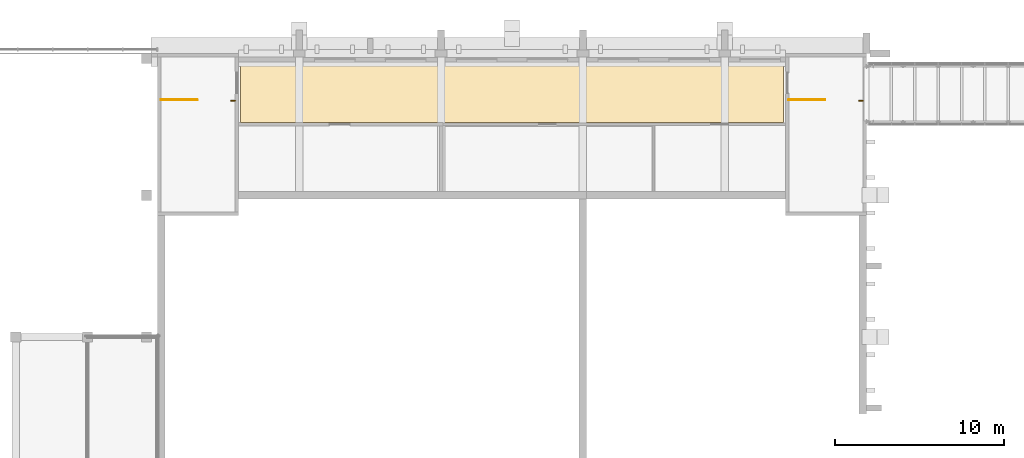
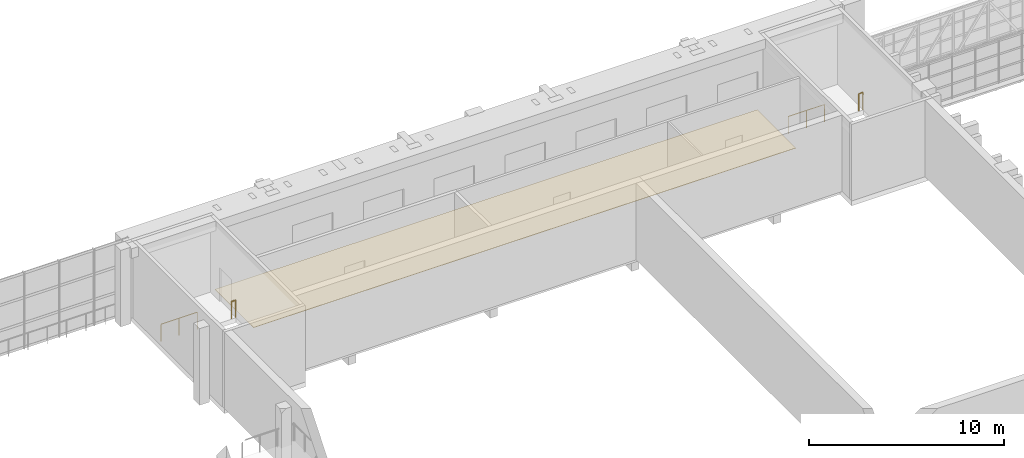
# One storey, part 81 of 86: 4 railings, 1 covering.
"""IFC4 building model written with IfcOpenShell, lengths in metres."""

from ifc_helpers import new_model, si_unit, direction, frame, origin, origin_2d, place, context, subcontext, project, spatial, polyline, circle, outline, extrude, material, layer, layer_set, type_object, element, save


model = new_model("IFC4")

# Units and contexts
model_context = context("Model", 3, precision=1e-05, world=origin(), true_north=direction((0.0, 1.0)))
body_context = subcontext(model_context, "Body", "Model", "MODEL_VIEW")
ifc_project = project(units=[si_unit("LENGTHUNIT", "METRE"), si_unit("AREAUNIT", "SQUARE_METRE"), si_unit("VOLUMEUNIT", "CUBIC_METRE"), si_unit("PLANEANGLEUNIT", "RADIAN"), si_unit("MASSUNIT", "GRAM", prefix="KILO")], contexts=[model_context])

# Site, building, storey
site_placement = place(None, origin())
site = spatial("IfcSite", under=ifc_project, at=site_placement, CompositionType="ELEMENT")
building_placement = place(site_placement, origin())
building = spatial("IfcBuilding", under=site, at=building_placement, Name="Kiln Court Media Centre", CompositionType="ELEMENT")
storey_placement = place(building_placement, frame((0.0, 0.0, 10.199951171875)))
storey = spatial("IfcBuildingStorey", under=building, at=storey_placement, Name="L02", CompositionType="ELEMENT", Elevation=10.199951171875)

# Covering
ifc_material_1 = material(Name="Terrazzo")
ifc_layer = layer(ifc_material_1, 0.02490234375)
ifc_layer_set = layer_set([ifc_layer], Name="Polished terrazzo floor finish 25")
covering_type = type_object("IfcCoveringType", Name="Polished terrazzo floor finish 25", PredefinedType="FLOORING", material=ifc_layer_set)
covering_placement = place(storey_placement, origin())
element("IfcCovering", 1, at=covering_placement, inside=storey, type_object=covering_type, Name="Rear Gallery floor finish", PredefinedType="FLOORING", context=body_context, shape_type="SweptSolid", body=[
    extrude(outline(polyline([(95.8798828125, 67.080078125), (63.719970703125, 67.080078125), (63.719970703125, 63.1201171875), (95.8798828125, 63.1201171875), (95.8798828125, 67.080078125)])), origin(), (0.0, 0.0, 1.0), 0.025146484375),
])

# Railings
ifc_material_2 = material(Name="Steel S275", Category="steel")
railing_type = type_object("IfcRailingType", Name="Steel S275 stair guard 1100", PredefinedType="GUARDRAIL", material=ifc_material_2)
railing_1_placement = place(storey_placement, frame((63.14990234375, 64.39990234375, 0.0)))
element("IfcRailing", 2, at=railing_1_placement, inside=storey, type_object=railing_type, Name="ST-11 landing edge guard", PredefinedType="GUARDRAIL", context=body_context, shape_type="SweptSolid", body=[
    extrude(circle(Radius=0.02392578125, at=origin_2d()), frame((0.0, 0.0, 1.076171875), z_axis=(1.0, 0.0, 0.0), x_axis=(0.0, 1.0, 0.0)), (0.0, 0.0, 1.0), 0.25),
    extrude(circle(Radius=0.02099609375, at=origin_2d()), origin(), (0.0, 0.0, 1.0), 1.052001953125),
    extrude(circle(Radius=0.02099609375, at=origin_2d()), frame((0.25, 0.0, 0.0)), (0.0, 0.0, 1.0), 1.052001953125),
])
railing_2_placement = place(storey_placement, frame((59.0, 64.449951171875, 0.0)))
element("IfcRailing", 3, at=railing_2_placement, inside=storey, type_object=railing_type, Name="ST-11 top floor guard", PredefinedType="GUARDRAIL", context=body_context, shape_type="SweptSolid", body=[
    extrude(circle(Radius=0.02392578125, at=origin_2d()), frame((0.0, 0.0, 1.076171875), z_axis=(1.0, 0.0, 0.0), x_axis=(0.0, 1.0, 0.0)), (0.0, 0.0, 1.0), 2.14990234375),
    extrude(circle(Radius=0.02099609375, at=origin_2d()), origin(), (0.0, 0.0, 1.0), 1.052001953125),
    extrude(circle(Radius=0.02099609375, at=origin_2d()), frame((1.074951171875, 0.0, 0.0)), (0.0, 0.0, 1.0), 1.052001953125),
    extrude(circle(Radius=0.02099609375, at=origin_2d()), frame((2.14990234375, 0.0, 0.0)), (0.0, 0.0, 1.0), 1.052001953125),
])
railing_3_placement = place(storey_placement, frame((100.35009765625, 64.39990234375, 0.0)))
element("IfcRailing", 4, at=railing_3_placement, inside=storey, type_object=railing_type, Name="ST-12 landing edge guard", PredefinedType="GUARDRAIL", context=body_context, shape_type="SweptSolid", body=[
    extrude(circle(Radius=0.02392578125, at=origin_2d()), frame((0.0, 0.0, 1.076171875), z_axis=(1.0, 0.0, 0.0), x_axis=(0.0, 1.0, 0.0)), (0.0, 0.0, 1.0), 0.25),
    extrude(circle(Radius=0.02099609375, at=origin_2d()), origin(), (0.0, 0.0, 1.0), 1.052001953125),
    extrude(circle(Radius=0.02099609375, at=origin_2d()), frame((0.25, 0.0, 0.0)), (0.0, 0.0, 1.0), 1.052001953125),
])
railing_4_placement = place(storey_placement, frame((96.199951171875, 64.449951171875, 0.0)))
element("IfcRailing", 5, at=railing_4_placement, inside=storey, type_object=railing_type, Name="ST-12 top floor guard", PredefinedType="GUARDRAIL", context=body_context, shape_type="SweptSolid", body=[
    extrude(circle(Radius=0.02392578125, at=origin_2d()), frame((0.0, 0.0, 1.076171875), z_axis=(1.0, 0.0, 0.0), x_axis=(0.0, 1.0, 0.0)), (0.0, 0.0, 1.0), 2.150146484375),
    extrude(circle(Radius=0.02099609375, at=origin_2d()), origin(), (0.0, 0.0, 1.0), 1.052001953125),
    extrude(circle(Radius=0.02099609375, at=origin_2d()), frame((1.0751953125, 0.0, 0.0)), (0.0, 0.0, 1.0), 1.052001953125),
    extrude(circle(Radius=0.02099609375, at=origin_2d()), frame((2.150146484375, 0.0, 0.0)), (0.0, 0.0, 1.0), 1.052001953125),
])

save(model, "model.ifc")
